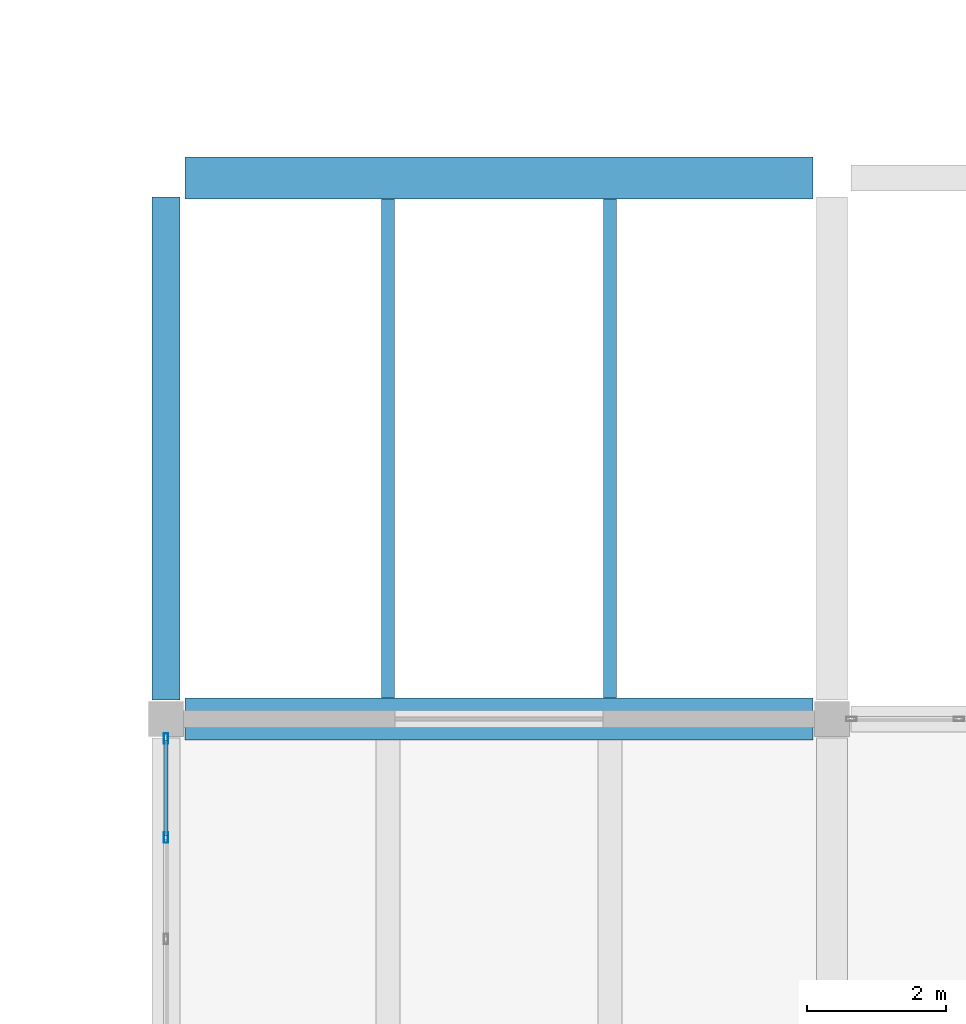
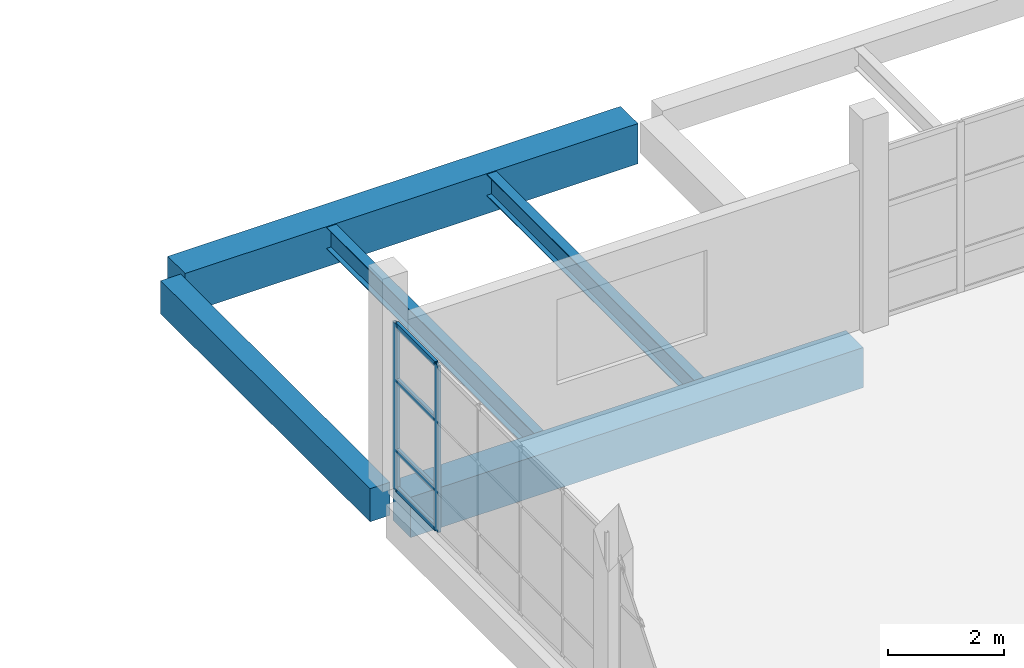
# One storey, part 29 of 53: 6 members, 5 beams, 1 element without a shape of its own.
"""IFC4 building model written with IfcOpenShell, lengths in metres."""

from ifc_helpers import new_model, si_unit, direction, frame, origin, origin_2d, place, context, subcontext, project, spatial, rectangle, hollow_rectangle, i_section, extrude, material, material_profile, profile_set, type_object, element, aggregate, save


model = new_model("IFC4")

# Units and contexts
model_context = context("Model", 3, precision=1e-05, world=origin(), true_north=direction((0.0, 1.0)))
body_context = subcontext(model_context, "Body", "Model", "MODEL_VIEW")
ifc_project = project(units=[si_unit("LENGTHUNIT", "METRE"), si_unit("AREAUNIT", "SQUARE_METRE"), si_unit("VOLUMEUNIT", "CUBIC_METRE"), si_unit("PLANEANGLEUNIT", "RADIAN"), si_unit("MASSUNIT", "GRAM", prefix="KILO")], contexts=[model_context])

# Site, building, storey
site_placement = place(None, origin())
site = spatial("IfcSite", under=ifc_project, at=site_placement, CompositionType="ELEMENT")
building_placement = place(site_placement, origin())
building = spatial("IfcBuilding", under=site, at=building_placement, Name="Pellamere Symphony Hall", CompositionType="ELEMENT")
storey_placement = place(building_placement, frame((0.0, 0.0, 24.0)))
storey = spatial("IfcBuildingStorey", under=building, at=storey_placement, Name="L05", CompositionType="ELEMENT", Elevation=24.0)

# Curtain wall, members
ifc_material_1 = material(Name="Thermally Broken Anodised Aluminium 6063-T6 Curtain Wall", Category="aluminium")
curtain_wall_type = type_object("IfcCurtainWallType", Name="Curtain Wall CW-05 (Artists Wing North Studio Ribbon Curtain Wall)", PredefinedType="NOTDEFINED", material=ifc_material_1)
curtain_wall_placement = place(storey_placement, origin())
curtain_wall = element("IfcCurtainWall", 1, at=curtain_wall_placement, inside=storey, type_object=curtain_wall_type, Name="Sculpture Court East Wing Curtain Wall (L05 Bay 2)", PredefinedType="NOTDEFINED")
ifc_material_2 = material(Name="Anodised Architectural Aluminium 6063-T6", Category="aluminium")
ifc_material_profile_1 = material_profile(ifc_material_2, hollow_rectangle(XDim=0.06005859375, YDim=0.14990234375, WallThickness=0.00390625, at=origin_2d()), Name="ALU-M60X150X4")
ifc_profile_set_1 = profile_set([ifc_material_profile_1], Name="Anodised Architectural Aluminium 6063-T6")
member_type_1 = type_object("IfcMemberType", Name="Curtain Wall Mullion ML-03 ALU-M60X150X4", PredefinedType="MULLION", material=ifc_profile_set_1)
member_1_placement = place(storey_placement, frame((138.0, 75.68994140625, 0.0), z_axis=(0.0, 0.0, 1.0), x_axis=(-1.0, 0.0, 0.0)))
member_1 = element("IfcMember", 2, at=member_1_placement, type_object=member_type_1, Name="CW5-151 crystal mullion 5", PredefinedType="MULLION", context=body_context, shape_type="SweptSolid", body=[
    extrude(hollow_rectangle(XDim=0.06005859375, YDim=0.14990234375, WallThickness=0.00390625, at=origin_2d()), origin(), (0.0, 0.0, 1.0), 3.52001953125),
])
member_2_placement = place(storey_placement, frame((138.0, 77.1201171875, 0.0), z_axis=(0.0, 0.0, 1.0), x_axis=(-1.0, 0.0, 0.0)))
member_2 = element("IfcMember", 3, at=member_2_placement, type_object=member_type_1, Name="CW5-151 crystal mullion 6", PredefinedType="MULLION", context=body_context, shape_type="SweptSolid", body=[
    extrude(hollow_rectangle(XDim=0.06005859375, YDim=0.14990234375, WallThickness=0.00390625, at=origin_2d()), origin(), (0.0, 0.0, 1.0), 3.52001953125),
])
ifc_material_profile_2 = material_profile(ifc_material_2, hollow_rectangle(XDim=0.06005859375, YDim=0.1201171875, WallThickness=0.00390625, at=origin_2d()), Name="ALU-T60X120X4")
ifc_profile_set_2 = profile_set([ifc_material_profile_2], Name="Anodised Architectural Aluminium 6063-T6")
member_type_2 = type_object("IfcMemberType", Name="Curtain Wall Transom TR-03 ALU-T60X120X4", PredefinedType="USERDEFINED", material=ifc_profile_set_2)
member_3_placement = place(storey_placement, frame((138.0, 75.719970703125, 0.030029296875), z_axis=(0.0, 1.0, 0.0), x_axis=(-1.0, 0.0, 0.0)))
member_3 = element("IfcMember", 4, at=member_3_placement, type_object=member_type_2, Name="CW5-151 crystal transom 5.1", ObjectType="TRANSOM", PredefinedType="USERDEFINED", context=body_context, shape_type="SweptSolid", body=[
    extrude(hollow_rectangle(XDim=0.06005859375, YDim=0.1201171875, WallThickness=0.00390625, at=origin_2d()), origin(), (0.0, 0.0, 1.0), 1.3701171875),
])
member_4_placement = place(storey_placement, frame((138.0, 75.719970703125, 0.8447265625), z_axis=(0.0, 1.0, 0.0), x_axis=(-1.0, 0.0, 0.0)))
member_4 = element("IfcMember", 5, at=member_4_placement, type_object=member_type_2, Name="CW5-151 crystal transom 5.2", ObjectType="TRANSOM", PredefinedType="USERDEFINED", context=body_context, shape_type="SweptSolid", body=[
    extrude(hollow_rectangle(XDim=0.06005859375, YDim=0.1201171875, WallThickness=0.00390625, at=origin_2d()), origin(), (0.0, 0.0, 1.0), 1.3701171875),
])
member_5_placement = place(storey_placement, frame((138.0, 75.719970703125, 2.3232421875), z_axis=(0.0, 1.0, 0.0), x_axis=(-1.0, 0.0, 0.0)))
member_5 = element("IfcMember", 6, at=member_5_placement, type_object=member_type_2, Name="CW5-151 crystal transom 5.3", ObjectType="TRANSOM", PredefinedType="USERDEFINED", context=body_context, shape_type="SweptSolid", body=[
    extrude(hollow_rectangle(XDim=0.06005859375, YDim=0.1201171875, WallThickness=0.00390625, at=origin_2d()), origin(), (0.0, 0.0, 1.0), 1.3701171875),
])
member_6_placement = place(storey_placement, frame((138.0, 75.719970703125, 3.489990234375), z_axis=(0.0, 1.0, 0.0), x_axis=(-1.0, 0.0, 0.0)))
member_6 = element("IfcMember", 7, at=member_6_placement, type_object=member_type_2, Name="CW5-151 crystal transom 5.4", ObjectType="TRANSOM", PredefinedType="USERDEFINED", context=body_context, shape_type="SweptSolid", body=[
    extrude(hollow_rectangle(XDim=0.06005859375, YDim=0.1201171875, WallThickness=0.00390625, at=origin_2d()), origin(), (0.0, 0.0, 1.0), 1.3701171875),
])
aggregate(curtain_wall, [member_1, member_2, member_3, member_4, member_5, member_6])

# Beams
ifc_material_3 = material(Name="Concrete 40 MPa", Category="concrete")
ifc_material_profile_3 = material_profile(ifc_material_3, rectangle(XDim=0.60009765625, YDim=0.85009765625, at=origin_2d()), Name="RC 600x850")
ifc_profile_set_3 = profile_set([ifc_material_profile_3], Name="Concrete 40 MPa")
beam_type_1 = type_object("IfcBeamType", Name="RC CB-04 600x850", PredefinedType="BEAM", material=ifc_profile_set_3)
for number, where, z_axis, x_axis, name in (
    (8, (138.27490234375, 77.39990234375, -0.68505859375), (1.0, 0.0, 0.0), (0.0, 1.0, 0.0), "Girder CB-04-X2052 (L05)"),
    (9, (138.27490234375, 85.199951171875, -0.68505859375), (1.0, 0.0, 0.0), (0.0, 1.0, 0.0), "Girder CB-04-X2057 (L05)"),
):
    element("IfcBeam", number, at=place(storey_placement, frame(where, z_axis=z_axis, x_axis=x_axis)), inside=storey, type_object=beam_type_1, Name=name, PredefinedType="BEAM", context=body_context, shape_type="SweptSolid", body=[
        extrude(rectangle(XDim=0.60009765625, YDim=0.85009765625, at=origin_2d()), origin(), (0.0, 0.0, 1.0), 9.050048828125),
    ])
ifc_material_profile_4 = material_profile(ifc_material_3, rectangle(XDim=0.39990234375, YDim=0.699951171875, at=origin_2d()), Name="RC 400x700")
ifc_profile_set_4 = profile_set([ifc_material_profile_4], Name="Concrete 40 MPa")
beam_type_2 = type_object("IfcBeamType", Name="RC CB-13 400x700", PredefinedType="SPANDREL", material=ifc_profile_set_4)
beam_placement = place(storey_placement, frame((138.0, 77.675048828125, -0.610107421875), z_axis=(0.0, 1.0, 0.0), x_axis=(-1.0, 0.0, 0.0)))
element("IfcBeam", 10, at=beam_placement, inside=storey, type_object=beam_type_2, Name="Girder CB-13-Y2114 (L05)", PredefinedType="SPANDREL", context=body_context, shape_type="SweptSolid", body=[
    extrude(rectangle(XDim=0.39990234375, YDim=0.699951171875, at=origin_2d()), origin(), (0.0, 0.0, 1.0), 7.25),
])
ifc_material_4 = material(Name="Steel CSA G40.21 350W", Category="steel")
ifc_material_profile_5 = material_profile(ifc_material_4, i_section(OverallWidth=0.19091796875, OverallDepth=0.4599609375, WebThickness=0.010009765625, FlangeThickness=0.014404296875, at=origin_2d()), Name="W460X82")
ifc_profile_set_5 = profile_set([ifc_material_profile_5], Name="Steel CSA G40.21 350W")
beam_type_3 = type_object("IfcBeamType", Name="Steel Joist SB-17 W460X82", PredefinedType="JOIST", material=ifc_profile_set_5)
for number, where, z_axis, x_axis, name in (
    (11, (141.199951171875, 77.699951171875, -0.5048828125), (0.0, 1.0, 0.0), (-1.0, 0.0, 0.0), "Secondary Floor Beam SB-17-A1710 (L05)"),
    (12, (144.39990234375, 77.699951171875, -0.5048828125), (0.0, 1.0, 0.0), (-1.0, 0.0, 0.0), "Secondary Floor Beam SB-17-B1710 (L05)"),
):
    element("IfcBeam", number, at=place(storey_placement, frame(where, z_axis=z_axis, x_axis=x_axis)), inside=storey, type_object=beam_type_3, Name=name, PredefinedType="JOIST", context=body_context, shape_type="SweptSolid", body=[
        extrude(i_section(OverallWidth=0.19091796875, OverallDepth=0.4599609375, WebThickness=0.010009765625, FlangeThickness=0.014404296875, at=origin_2d()), origin(), (0.0, 0.0, 1.0), 7.199951171875),
    ])

save(model, "model.ifc")
